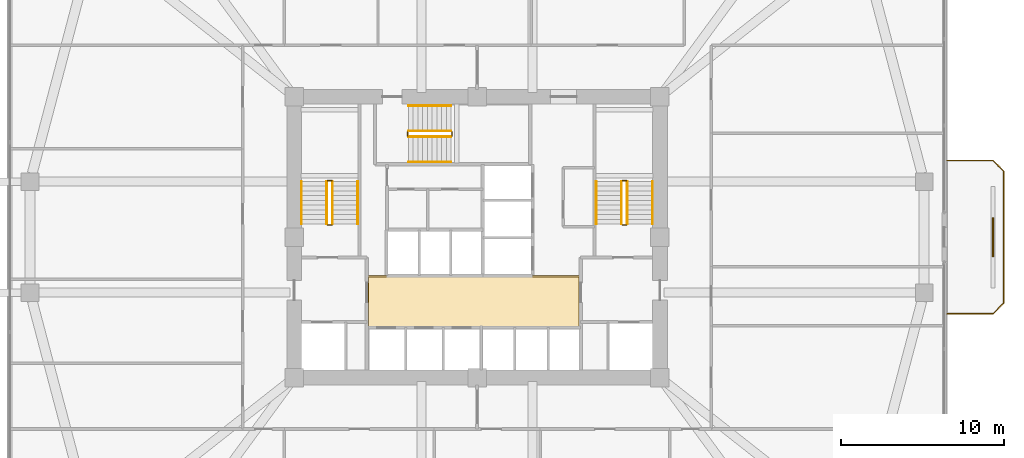
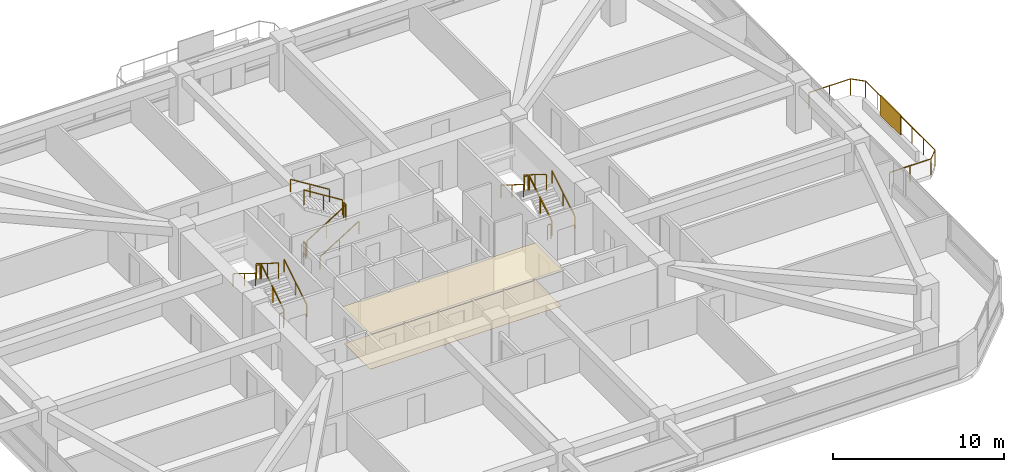
# One storey, part 12 of 13: 19 railings, 2 coverings, 1 shading device.
"""IFC4 building model written with IfcOpenShell, lengths in metres."""

from ifc_helpers import new_model, si_unit, derived_unit, direction, frame, origin, origin_2d, place, context, subcontext, project, spatial, polyline, rectangle, outline, extrude, material, layer, layer_set, type_object, element, save


model = new_model("IFC4")

# Units and contexts
model_context = context("Model", 3, precision=1e-05, world=origin(), true_north=direction((0.0, 1.0)))
body_context = subcontext(model_context, "Body", "Model", "MODEL_VIEW")
ifc_project = project(units=[si_unit("LENGTHUNIT", "METRE"), si_unit("AREAUNIT", "SQUARE_METRE"), si_unit("VOLUMEUNIT", "CUBIC_METRE"), si_unit("PLANEANGLEUNIT", "RADIAN"), si_unit("MASSUNIT", "GRAM", prefix="KILO"), derived_unit("THERMALTRANSMITTANCEUNIT", [(si_unit("POWERUNIT", "WATT"), 1), (si_unit("LENGTHUNIT", "METRE"), -2), (si_unit("THERMODYNAMICTEMPERATUREUNIT", "KELVIN"), -1)])], contexts=[model_context])

# Site, building, storey
site_placement = place(None, origin())
site = spatial("IfcSite", under=ifc_project, at=site_placement, CompositionType="ELEMENT")
building_placement = place(site_placement, origin())
building = spatial("IfcBuilding", under=site, at=building_placement, Name="Koralith Skygarden Medical Center", CompositionType="ELEMENT")
storey_placement = place(building_placement, frame((0.0, 0.0, 59.93994140625)))
storey = spatial("IfcBuildingStorey", under=building, at=storey_placement, Name="L15", CompositionType="ELEMENT", Elevation=59.93994140625)

# Covering
ifc_material_1 = material(Name="Acoustic Mineral Tile")
ifc_layer_1 = layer(ifc_material_1, 0.02001953125)
ifc_layer_set_1 = layer_set([ifc_layer_1], Name="Acoustic Mineral Tile")
covering_type_1 = type_object("IfcCoveringType", Name="Acoustic Hygienic Mineral Ceiling 20", PredefinedType="CEILING", material=ifc_layer_set_1)
covering_1_placement = place(storey_placement, frame((0.0, 0.0, 2.5849609375)))
element("IfcCovering", 1, at=covering_1_placement, inside=storey, type_object=covering_type_1, Name="L15 Core Lobby Acoustic Ceiling", PredefinedType="CEILING", context=body_context, shape_type="SweptSolid", body=[
    extrude(outline(polyline([(30.25, 20.320068359375), (43.35009765625, 20.320068359375), (43.35009765625, 23.56005859375), (30.25, 23.56005859375), (30.25, 20.320068359375)])), origin(), (0.0, 0.0, 1.0), 0.02001953125),
])

# Railing
ifc_material_2 = material(Name="Steel ASTM A500 Grade C", Category="steel")
railing_type_1 = type_object("IfcRailingType", Name="Outdoor Terrace & Balcony Safety Guardrail 1180", PredefinedType="GUARDRAIL", material=ifc_material_2)
railing_1_placement = place(storey_placement, frame((65.800048828125, 21.199951171875, 0.0)))
element("IfcRailing", 2, at=railing_1_placement, inside=storey, type_object=railing_type_1, Name="L15 E Balcony Perimeter Guardrail", PredefinedType="GUARDRAIL", context=body_context, shape_type="SweptSolid", body=[
    extrude(rectangle(XDim=0.050048828125, YDim=0.050048828125, at=origin_2d()), frame((0.001953125, 0.0, 1.15478515625), z_axis=(1.0, 0.0, 0.0), x_axis=(0.0, 1.0, 0.0)), (0.0, 0.0, 1.0), 2.796142578125),
    extrude(rectangle(XDim=0.050048828125, YDim=0.050048828125, at=origin_2d()), frame((2.801513671875, 0.00146484375, 1.15478515625), z_axis=(0.706973978714, 0.707239558722, 0.0), x_axis=(-0.707239558722, 0.706973978714, 0.0)), (0.0, 0.0, 1.0), 0.915283203125),
    extrude(rectangle(XDim=0.050048828125, YDim=0.050048828125, at=origin_2d()), frame((3.449951171875, 0.652099609375, 1.15478515625), z_axis=(0.0, 1.0, 0.0), x_axis=(-1.0, 0.0, 0.0)), (0.0, 0.0, 1.0), 8.095947265625),
    extrude(rectangle(XDim=0.050048828125, YDim=0.050048828125, at=origin_2d()), frame((3.448486328125, 8.75146484375, 1.15478515625), z_axis=(-0.706973978714, 0.707239558722, 0.0), x_axis=(-0.707239558722, -0.706973978714, 0.0)), (0.0, 0.0, 1.0), 0.915283203125),
    extrude(rectangle(XDim=0.050048828125, YDim=0.050048828125, at=origin_2d()), frame((2.798095703125, 9.400146484375, 1.15478515625), z_axis=(-1.0, 0.0, 0.0), x_axis=(0.0, -1.0, 0.0)), (0.0, 0.0, 1.0), 2.796142578125),
    extrude(rectangle(XDim=0.0419921875, YDim=0.0419921875, at=origin_2d()), origin(), (0.0, 0.0, 1.0), 1.1279296875),
    extrude(rectangle(XDim=0.0419921875, YDim=0.0419921875, at=origin_2d()), frame((1.39990234375, 0.0, 0.0)), (0.0, 0.0, 1.0), 1.1279296875),
    extrude(rectangle(XDim=0.0419921875, YDim=0.0419921875, at=origin_2d()), frame((2.800048828125, 0.0, 0.0)), (0.0, 0.0, 1.0), 1.1279296875),
    extrude(rectangle(XDim=0.0419921875, YDim=0.0419921875, at=origin_2d()), frame((3.449951171875, 0.650146484375, 0.0)), (0.0, 0.0, 1.0), 1.1279296875),
    extrude(rectangle(XDim=0.0419921875, YDim=0.0419921875, at=origin_2d()), frame((3.449951171875, 2.0, 0.0)), (0.0, 0.0, 1.0), 1.1279296875),
    extrude(rectangle(XDim=0.0419921875, YDim=0.0419921875, at=origin_2d()), frame((3.449951171875, 3.35009765625, 0.0)), (0.0, 0.0, 1.0), 1.1279296875),
    extrude(rectangle(XDim=0.0419921875, YDim=0.0419921875, at=origin_2d()), frame((3.449951171875, 4.7001953125, 0.0)), (0.0, 0.0, 1.0), 1.1279296875),
    extrude(rectangle(XDim=0.0419921875, YDim=0.0419921875, at=origin_2d()), frame((3.449951171875, 6.050048828125, 0.0)), (0.0, 0.0, 1.0), 1.1279296875),
    extrude(rectangle(XDim=0.0419921875, YDim=0.0419921875, at=origin_2d()), frame((3.449951171875, 7.39990234375, 0.0)), (0.0, 0.0, 1.0), 1.1279296875),
    extrude(rectangle(XDim=0.0419921875, YDim=0.0419921875, at=origin_2d()), frame((3.449951171875, 8.75, 0.0)), (0.0, 0.0, 1.0), 1.1279296875),
    extrude(rectangle(XDim=0.0419921875, YDim=0.0419921875, at=origin_2d()), frame((2.800048828125, 9.400146484375, 0.0)), (0.0, 0.0, 1.0), 1.1279296875),
    extrude(rectangle(XDim=0.0419921875, YDim=0.0419921875, at=origin_2d()), frame((1.39990234375, 9.400146484375, 0.0)), (0.0, 0.0, 1.0), 1.1279296875),
    extrude(rectangle(XDim=0.0419921875, YDim=0.0419921875, at=origin_2d()), frame((0.0, 9.400146484375, 0.0)), (0.0, 0.0, 1.0), 1.1279296875),
])

# Shading device
ifc_material_3 = material(Name="Aluminium 6063-T6", Category="aluminium")
ifc_layer_2 = layer(ifc_material_3, 0.080078125)
ifc_layer_set_2 = layer_set([ifc_layer_2], Name="Aluminium 6063-T6")
shading_device_type = type_object("IfcShadingDeviceType", Name="Perforated Biophilic Balcony Trellis Screen", PredefinedType="USERDEFINED", material=ifc_layer_set_2)
shading_device_placement = place(storey_placement, frame((68.60009765625, 25.89990234375, 0.72021484375), z_axis=(0.0, 0.0, 1.0), x_axis=(0.0, 1.0, 0.0)))
element("IfcShadingDevice", 3, at=shading_device_placement, inside=storey, type_object=shading_device_type, Name="L15 E Biophilic Balcony Trellis Screen", ObjectType="HURRICANE SCREEN", PredefinedType="USERDEFINED", context=body_context, shape_type="SweptSolid", body=[
    extrude(rectangle(XDim=2.39990234375, YDim=0.080078125, at=origin_2d()), origin(), (0.0, 0.0, 1.0), 1.39990234375),
])

# Covering
ifc_material_4 = material(Name="Medical Terrazzo Flooring")
ifc_layer_3 = layer(ifc_material_4, 0.014892578125)
ifc_layer_set_3 = layer_set([ifc_layer_3], Name="Medical Terrazzo Flooring")
covering_type_2 = type_object("IfcCoveringType", Name="Seamless Antimicrobial Terrazzo Flooring 15", PredefinedType="FLOORING", material=ifc_layer_set_3)
covering_2_placement = place(storey_placement, origin())
element("IfcCovering", 4, at=covering_2_placement, inside=storey, type_object=covering_type_2, Name="L15 Core Lobby Terrazzo Flooring", PredefinedType="FLOORING", context=body_context, shape_type="SweptSolid", body=[
    extrude(outline(polyline([(30.35009765625, 20.419921875), (43.25, 20.419921875), (43.25, 23.4599609375), (30.35009765625, 23.4599609375), (30.35009765625, 20.419921875)])), origin(), (0.0, 0.0, 1.0), 0.01513671875),
])

# Railings
railing_type_2 = type_object("IfcRailingType", Name="Stair Flight Tubular Handrail 920", PredefinedType="HANDRAIL", material=ifc_material_2)
railing_2_placement = place(storey_placement, frame((29.699951171875, 26.699951171875, 0.18017578125)))
element("IfcRailing", 5, at=railing_2_placement, inside=storey, type_object=railing_type_2, Name="L15 ST1 stair handrail 1", PredefinedType="HANDRAIL", context=body_context, shape_type="SweptSolid", body=[
    extrude(rectangle(XDim=0.050048828125, YDim=0.050048828125, at=origin_2d()), frame((0.0, 0.001708984375, 0.89599609375), z_axis=(0.0, 0.849668407637, 0.527317358963), x_axis=(-1.0, 0.0, 0.0)), (0.0, 0.0, 1.0), 3.06787109375),
    extrude(rectangle(XDim=0.0419921875, YDim=0.0419921875, at=origin_2d()), origin(), (0.0, 0.0, 1.0), 0.867919921875),
    extrude(rectangle(XDim=0.0419921875, YDim=0.0419921875, at=origin_2d()), frame((0.0, 1.30517578125, 0.81005859375)), (0.0, 0.0, 1.0), 0.867919921875),
    extrude(rectangle(XDim=0.0419921875, YDim=0.0419921875, at=origin_2d()), frame((0.0, 2.610107421875, 1.619873046875)), (0.0, 0.0, 1.0), 0.867919921875),
])
railing_3_placement = place(storey_placement, frame((26.25, 29.31005859375, 1.97998046875)))
element("IfcRailing", 6, at=railing_3_placement, inside=storey, type_object=railing_type_2, Name="L15 ST1 stair handrail 2", PredefinedType="HANDRAIL", context=body_context, shape_type="SweptSolid", body=[
    extrude(rectangle(XDim=0.050048828125, YDim=0.050048828125, at=origin_2d()), frame((0.0, -0.001708984375, 0.89599609375), z_axis=(0.0, -0.849632798774, 0.527374731332), x_axis=(1.0, 0.0, 0.0)), (0.0, 0.0, 1.0), 3.068115234375),
    extrude(rectangle(XDim=0.0419921875, YDim=0.0419921875, at=origin_2d()), origin(), (0.0, 0.0, 1.0), 0.867919921875),
    extrude(rectangle(XDim=0.0419921875, YDim=0.0419921875, at=origin_2d()), frame((0.0, -1.30517578125, 0.81005859375)), (0.0, 0.0, 1.0), 0.867919921875),
    extrude(rectangle(XDim=0.0419921875, YDim=0.0419921875, at=origin_2d()), frame((0.0, -2.610107421875, 1.6201171875)), (0.0, 0.0, 1.0), 0.867919921875),
])
railing_4_placement = place(storey_placement, frame((47.75, 26.699951171875, 0.18017578125)))
element("IfcRailing", 7, at=railing_4_placement, inside=storey, type_object=railing_type_2, Name="L15 ST2 stair handrail 1", PredefinedType="HANDRAIL", context=body_context, shape_type="SweptSolid", body=[
    extrude(rectangle(XDim=0.050048828125, YDim=0.050048828125, at=origin_2d()), frame((0.0, 0.001708984375, 0.89599609375), z_axis=(0.0, 0.849668407637, 0.527317358963), x_axis=(-1.0, 0.0, 0.0)), (0.0, 0.0, 1.0), 3.06787109375),
    extrude(rectangle(XDim=0.0419921875, YDim=0.0419921875, at=origin_2d()), origin(), (0.0, 0.0, 1.0), 0.867919921875),
    extrude(rectangle(XDim=0.0419921875, YDim=0.0419921875, at=origin_2d()), frame((0.0, 1.30517578125, 0.81005859375)), (0.0, 0.0, 1.0), 0.867919921875),
    extrude(rectangle(XDim=0.0419921875, YDim=0.0419921875, at=origin_2d()), frame((0.0, 2.610107421875, 1.619873046875)), (0.0, 0.0, 1.0), 0.867919921875),
])
railing_5_placement = place(storey_placement, frame((44.300048828125, 29.31005859375, 1.97998046875)))
element("IfcRailing", 8, at=railing_5_placement, inside=storey, type_object=railing_type_2, Name="L15 ST2 stair handrail 2", PredefinedType="HANDRAIL", context=body_context, shape_type="SweptSolid", body=[
    extrude(rectangle(XDim=0.050048828125, YDim=0.050048828125, at=origin_2d()), frame((0.0, -0.001708984375, 0.89599609375), z_axis=(0.0, -0.849632798774, 0.527374731332), x_axis=(1.0, 0.0, 0.0)), (0.0, 0.0, 1.0), 3.068115234375),
    extrude(rectangle(XDim=0.0419921875, YDim=0.0419921875, at=origin_2d()), origin(), (0.0, 0.0, 1.0), 0.867919921875),
    extrude(rectangle(XDim=0.0419921875, YDim=0.0419921875, at=origin_2d()), frame((0.0, -1.30517578125, 0.81005859375)), (0.0, 0.0, 1.0), 0.867919921875),
    extrude(rectangle(XDim=0.0419921875, YDim=0.0419921875, at=origin_2d()), frame((0.0, -2.610107421875, 1.6201171875)), (0.0, 0.0, 1.0), 0.867919921875),
])
railing_6_placement = place(storey_placement, frame((32.800048828125, 30.5, 0.18017578125)))
element("IfcRailing", 9, at=railing_6_placement, inside=storey, type_object=railing_type_2, Name="L15 ST3 stair handrail 1", PredefinedType="HANDRAIL", context=body_context, shape_type="SweptSolid", body=[
    extrude(rectangle(XDim=0.050048828125, YDim=0.050048828125, at=origin_2d()), frame((0.001708984375, 0.0, 0.89599609375), z_axis=(0.849646306263, 0.0, 0.527352969322), x_axis=(0.0, 1.0, 0.0)), (0.0, 0.0, 1.0), 3.067626953125),
    extrude(rectangle(XDim=0.0419921875, YDim=0.0419921875, at=origin_2d()), origin(), (0.0, 0.0, 1.0), 0.867919921875),
    extrude(rectangle(XDim=0.0419921875, YDim=0.0419921875, at=origin_2d()), frame((1.304931640625, 0.0, 0.81005859375)), (0.0, 0.0, 1.0), 0.867919921875),
    extrude(rectangle(XDim=0.0419921875, YDim=0.0419921875, at=origin_2d()), frame((2.60986328125, 0.0, 1.619873046875)), (0.0, 0.0, 1.0), 0.867919921875),
])
railing_7_placement = place(storey_placement, frame((35.409912109375, 33.949951171875, 1.97998046875)))
element("IfcRailing", 10, at=railing_7_placement, inside=storey, type_object=railing_type_2, Name="L15 ST3 stair handrail 2", PredefinedType="HANDRAIL", context=body_context, shape_type="SweptSolid", body=[
    extrude(rectangle(XDim=0.050048828125, YDim=0.050048828125, at=origin_2d()), frame((-0.001708984375, 0.0, 0.89599609375), z_axis=(-0.849610693518, 0.0, 0.52741034258), x_axis=(0.0, -1.0, 0.0)), (0.0, 0.0, 1.0), 3.06787109375),
    extrude(rectangle(XDim=0.0419921875, YDim=0.0419921875, at=origin_2d()), origin(), (0.0, 0.0, 1.0), 0.867919921875),
    extrude(rectangle(XDim=0.0419921875, YDim=0.0419921875, at=origin_2d()), frame((-1.304931640625, 0.0, 0.81005859375)), (0.0, 0.0, 1.0), 0.867919921875),
    extrude(rectangle(XDim=0.0419921875, YDim=0.0419921875, at=origin_2d()), frame((-2.60986328125, 0.0, 1.6201171875)), (0.0, 0.0, 1.0), 0.867919921875),
])
railing_type_3 = type_object("IfcRailingType", Name="Stair Well Safety Guardrail 1100", PredefinedType="GUARDRAIL", material=ifc_material_2)
railing_8_placement = place(storey_placement, frame((28.14990234375, 26.699951171875, 0.18017578125)))
element("IfcRailing", 11, at=railing_8_placement, inside=storey, type_object=railing_type_3, Name="L15 ST1 stair guard 1", PredefinedType="GUARDRAIL", context=body_context, shape_type="SweptSolid", body=[
    extrude(rectangle(XDim=0.050048828125, YDim=0.050048828125, at=origin_2d()), frame((0.0, 0.001708984375, 1.076171875), z_axis=(0.0, 0.849668407637, 0.527317358963), x_axis=(-1.0, 0.0, 0.0)), (0.0, 0.0, 1.0), 3.06787109375),
    extrude(rectangle(XDim=0.0419921875, YDim=0.0419921875, at=origin_2d()), origin(), (0.0, 0.0, 1.0), 1.048095703125),
    extrude(rectangle(XDim=0.0419921875, YDim=0.0419921875, at=origin_2d()), frame((0.0, 1.30517578125, 0.81005859375)), (0.0, 0.0, 1.0), 1.048095703125),
    extrude(rectangle(XDim=0.0419921875, YDim=0.0419921875, at=origin_2d()), frame((0.0, 2.610107421875, 1.619873046875)), (0.0, 0.0, 1.0), 1.048095703125),
])
railing_9_placement = place(storey_placement, frame((28.10009765625, 29.360107421875, 1.800048828125)))
element("IfcRailing", 12, at=railing_9_placement, inside=storey, type_object=railing_type_3, Name="L15 ST1 stair guard 2", PredefinedType="GUARDRAIL", context=body_context, shape_type="SweptSolid", body=[
    extrude(rectangle(XDim=0.050048828125, YDim=0.050048828125, at=origin_2d()), frame((-0.001953125, 0.0, 1.0751953125), z_axis=(-1.0, 0.0, 0.0), x_axis=(0.0, -1.0, 0.0)), (0.0, 0.0, 1.0), 0.24609375),
    extrude(rectangle(XDim=0.0419921875, YDim=0.0419921875, at=origin_2d()), origin(), (0.0, 0.0, 1.0), 1.048095703125),
    extrude(rectangle(XDim=0.0419921875, YDim=0.0419921875, at=origin_2d()), frame((-0.25, 0.0, 0.0)), (0.0, 0.0, 1.0), 1.048095703125),
])
railing_10_placement = place(storey_placement, frame((27.800048828125, 29.31005859375, 1.97998046875)))
element("IfcRailing", 13, at=railing_10_placement, inside=storey, type_object=railing_type_3, Name="L15 ST1 stair guard 3", PredefinedType="GUARDRAIL", context=body_context, shape_type="SweptSolid", body=[
    extrude(rectangle(XDim=0.050048828125, YDim=0.050048828125, at=origin_2d()), frame((0.0, -0.001708984375, 1.076171875), z_axis=(0.0, -0.849632798774, 0.527374731332), x_axis=(1.0, 0.0, 0.0)), (0.0, 0.0, 1.0), 3.068115234375),
    extrude(rectangle(XDim=0.0419921875, YDim=0.0419921875, at=origin_2d()), origin(), (0.0, 0.0, 1.0), 1.048095703125),
    extrude(rectangle(XDim=0.0419921875, YDim=0.0419921875, at=origin_2d()), frame((0.0, -1.30517578125, 0.81005859375)), (0.0, 0.0, 1.0), 1.048095703125),
    extrude(rectangle(XDim=0.0419921875, YDim=0.0419921875, at=origin_2d()), frame((0.0, -2.610107421875, 1.6201171875)), (0.0, 0.0, 1.0), 1.048095703125),
])
railing_11_placement = place(storey_placement, frame((28.10009765625, 26.64990234375, 0.0)))
element("IfcRailing", 14, at=railing_11_placement, inside=storey, type_object=railing_type_3, Name="L15 ST1 stair guard 4", PredefinedType="GUARDRAIL", context=body_context, shape_type="SweptSolid", body=[
    extrude(rectangle(XDim=0.050048828125, YDim=0.050048828125, at=origin_2d()), frame((-0.001953125, 0.0, 1.0751953125), z_axis=(-1.0, 0.0, 0.0), x_axis=(0.0, -1.0, 0.0)), (0.0, 0.0, 1.0), 0.24609375),
    extrude(rectangle(XDim=0.0419921875, YDim=0.0419921875, at=origin_2d()), origin(), (0.0, 0.0, 1.0), 1.048095703125),
    extrude(rectangle(XDim=0.0419921875, YDim=0.0419921875, at=origin_2d()), frame((-0.25, 0.0, 0.0)), (0.0, 0.0, 1.0), 1.048095703125),
])
railing_12_placement = place(storey_placement, frame((46.199951171875, 26.699951171875, 0.18017578125)))
element("IfcRailing", 15, at=railing_12_placement, inside=storey, type_object=railing_type_3, Name="L15 ST2 stair guard 1", PredefinedType="GUARDRAIL", context=body_context, shape_type="SweptSolid", body=[
    extrude(rectangle(XDim=0.050048828125, YDim=0.050048828125, at=origin_2d()), frame((0.0, 0.001708984375, 1.076171875), z_axis=(0.0, 0.849668407637, 0.527317358963), x_axis=(-1.0, 0.0, 0.0)), (0.0, 0.0, 1.0), 3.06787109375),
    extrude(rectangle(XDim=0.0419921875, YDim=0.0419921875, at=origin_2d()), origin(), (0.0, 0.0, 1.0), 1.048095703125),
    extrude(rectangle(XDim=0.0419921875, YDim=0.0419921875, at=origin_2d()), frame((0.0, 1.30517578125, 0.81005859375)), (0.0, 0.0, 1.0), 1.048095703125),
    extrude(rectangle(XDim=0.0419921875, YDim=0.0419921875, at=origin_2d()), frame((0.0, 2.610107421875, 1.619873046875)), (0.0, 0.0, 1.0), 1.048095703125),
])
railing_13_placement = place(storey_placement, frame((46.14990234375, 29.360107421875, 1.800048828125)))
element("IfcRailing", 16, at=railing_13_placement, inside=storey, type_object=railing_type_3, Name="L15 ST2 stair guard 2", PredefinedType="GUARDRAIL", context=body_context, shape_type="SweptSolid", body=[
    extrude(rectangle(XDim=0.050048828125, YDim=0.050048828125, at=origin_2d()), frame((-0.001953125, 0.0, 1.0751953125), z_axis=(-1.0, 0.0, 0.0), x_axis=(0.0, -1.0, 0.0)), (0.0, 0.0, 1.0), 0.24609375),
    extrude(rectangle(XDim=0.0419921875, YDim=0.0419921875, at=origin_2d()), origin(), (0.0, 0.0, 1.0), 1.048095703125),
    extrude(rectangle(XDim=0.0419921875, YDim=0.0419921875, at=origin_2d()), frame((-0.25, 0.0, 0.0)), (0.0, 0.0, 1.0), 1.048095703125),
])
railing_14_placement = place(storey_placement, frame((45.85009765625, 29.31005859375, 1.97998046875)))
element("IfcRailing", 17, at=railing_14_placement, inside=storey, type_object=railing_type_3, Name="L15 ST2 stair guard 3", PredefinedType="GUARDRAIL", context=body_context, shape_type="SweptSolid", body=[
    extrude(rectangle(XDim=0.050048828125, YDim=0.050048828125, at=origin_2d()), frame((0.0, -0.001708984375, 1.076171875), z_axis=(0.0, -0.849632798774, 0.527374731332), x_axis=(1.0, 0.0, 0.0)), (0.0, 0.0, 1.0), 3.068115234375),
    extrude(rectangle(XDim=0.0419921875, YDim=0.0419921875, at=origin_2d()), origin(), (0.0, 0.0, 1.0), 1.048095703125),
    extrude(rectangle(XDim=0.0419921875, YDim=0.0419921875, at=origin_2d()), frame((0.0, -1.30517578125, 0.81005859375)), (0.0, 0.0, 1.0), 1.048095703125),
    extrude(rectangle(XDim=0.0419921875, YDim=0.0419921875, at=origin_2d()), frame((0.0, -2.610107421875, 1.6201171875)), (0.0, 0.0, 1.0), 1.048095703125),
])
railing_15_placement = place(storey_placement, frame((46.14990234375, 26.64990234375, 0.0)))
element("IfcRailing", 18, at=railing_15_placement, inside=storey, type_object=railing_type_3, Name="L15 ST2 stair guard 4", PredefinedType="GUARDRAIL", context=body_context, shape_type="SweptSolid", body=[
    extrude(rectangle(XDim=0.050048828125, YDim=0.050048828125, at=origin_2d()), frame((-0.001953125, 0.0, 1.0751953125), z_axis=(-1.0, 0.0, 0.0), x_axis=(0.0, -1.0, 0.0)), (0.0, 0.0, 1.0), 0.24609375),
    extrude(rectangle(XDim=0.0419921875, YDim=0.0419921875, at=origin_2d()), origin(), (0.0, 0.0, 1.0), 1.048095703125),
    extrude(rectangle(XDim=0.0419921875, YDim=0.0419921875, at=origin_2d()), frame((-0.25, 0.0, 0.0)), (0.0, 0.0, 1.0), 1.048095703125),
])
railing_16_placement = place(storey_placement, frame((32.800048828125, 32.050048828125, 0.18017578125)))
element("IfcRailing", 19, at=railing_16_placement, inside=storey, type_object=railing_type_3, Name="L15 ST3 stair guard 1", PredefinedType="GUARDRAIL", context=body_context, shape_type="SweptSolid", body=[
    extrude(rectangle(XDim=0.050048828125, YDim=0.050048828125, at=origin_2d()), frame((0.001708984375, 0.0, 1.076171875), z_axis=(0.849646306263, 0.0, 0.527352969322), x_axis=(0.0, 1.0, 0.0)), (0.0, 0.0, 1.0), 3.067626953125),
    extrude(rectangle(XDim=0.0419921875, YDim=0.0419921875, at=origin_2d()), origin(), (0.0, 0.0, 1.0), 1.048095703125),
    extrude(rectangle(XDim=0.0419921875, YDim=0.0419921875, at=origin_2d()), frame((1.304931640625, 0.0, 0.81005859375)), (0.0, 0.0, 1.0), 1.048095703125),
    extrude(rectangle(XDim=0.0419921875, YDim=0.0419921875, at=origin_2d()), frame((2.60986328125, 0.0, 1.619873046875)), (0.0, 0.0, 1.0), 1.048095703125),
])
railing_17_placement = place(storey_placement, frame((35.4599609375, 32.10009765625, 1.800048828125)))
element("IfcRailing", 20, at=railing_17_placement, inside=storey, type_object=railing_type_3, Name="L15 ST3 stair guard 2", PredefinedType="GUARDRAIL", context=body_context, shape_type="SweptSolid", body=[
    extrude(rectangle(XDim=0.050048828125, YDim=0.050048828125, at=origin_2d()), frame((0.0, 0.001953125, 1.0751953125), z_axis=(0.0, 1.0, 0.0), x_axis=(-1.0, 0.0, 0.0)), (0.0, 0.0, 1.0), 0.24609375),
    extrude(rectangle(XDim=0.0419921875, YDim=0.0419921875, at=origin_2d()), origin(), (0.0, 0.0, 1.0), 1.048095703125),
    extrude(rectangle(XDim=0.0419921875, YDim=0.0419921875, at=origin_2d()), frame((0.0, 0.25, 0.0)), (0.0, 0.0, 1.0), 1.048095703125),
])
railing_18_placement = place(storey_placement, frame((35.409912109375, 32.39990234375, 1.97998046875)))
element("IfcRailing", 21, at=railing_18_placement, inside=storey, type_object=railing_type_3, Name="L15 ST3 stair guard 3", PredefinedType="GUARDRAIL", context=body_context, shape_type="SweptSolid", body=[
    extrude(rectangle(XDim=0.050048828125, YDim=0.050048828125, at=origin_2d()), frame((-0.001708984375, 0.0, 1.076171875), z_axis=(-0.849610693518, 0.0, 0.52741034258), x_axis=(0.0, -1.0, 0.0)), (0.0, 0.0, 1.0), 3.06787109375),
    extrude(rectangle(XDim=0.0419921875, YDim=0.0419921875, at=origin_2d()), origin(), (0.0, 0.0, 1.0), 1.048095703125),
    extrude(rectangle(XDim=0.0419921875, YDim=0.0419921875, at=origin_2d()), frame((-1.304931640625, 0.0, 0.81005859375)), (0.0, 0.0, 1.0), 1.048095703125),
    extrude(rectangle(XDim=0.0419921875, YDim=0.0419921875, at=origin_2d()), frame((-2.60986328125, 0.0, 1.6201171875)), (0.0, 0.0, 1.0), 1.048095703125),
])
railing_19_placement = place(storey_placement, frame((32.75, 32.10009765625, 0.0)))
element("IfcRailing", 22, at=railing_19_placement, inside=storey, type_object=railing_type_3, Name="L15 ST3 stair guard 4", PredefinedType="GUARDRAIL", context=body_context, shape_type="SweptSolid", body=[
    extrude(rectangle(XDim=0.050048828125, YDim=0.050048828125, at=origin_2d()), frame((0.0, 0.001953125, 1.0751953125), z_axis=(0.0, 1.0, 0.0), x_axis=(-1.0, 0.0, 0.0)), (0.0, 0.0, 1.0), 0.24609375),
    extrude(rectangle(XDim=0.0419921875, YDim=0.0419921875, at=origin_2d()), origin(), (0.0, 0.0, 1.0), 1.048095703125),
    extrude(rectangle(XDim=0.0419921875, YDim=0.0419921875, at=origin_2d()), frame((0.0, 0.25, 0.0)), (0.0, 0.0, 1.0), 1.048095703125),
])

save(model, "model.ifc")
